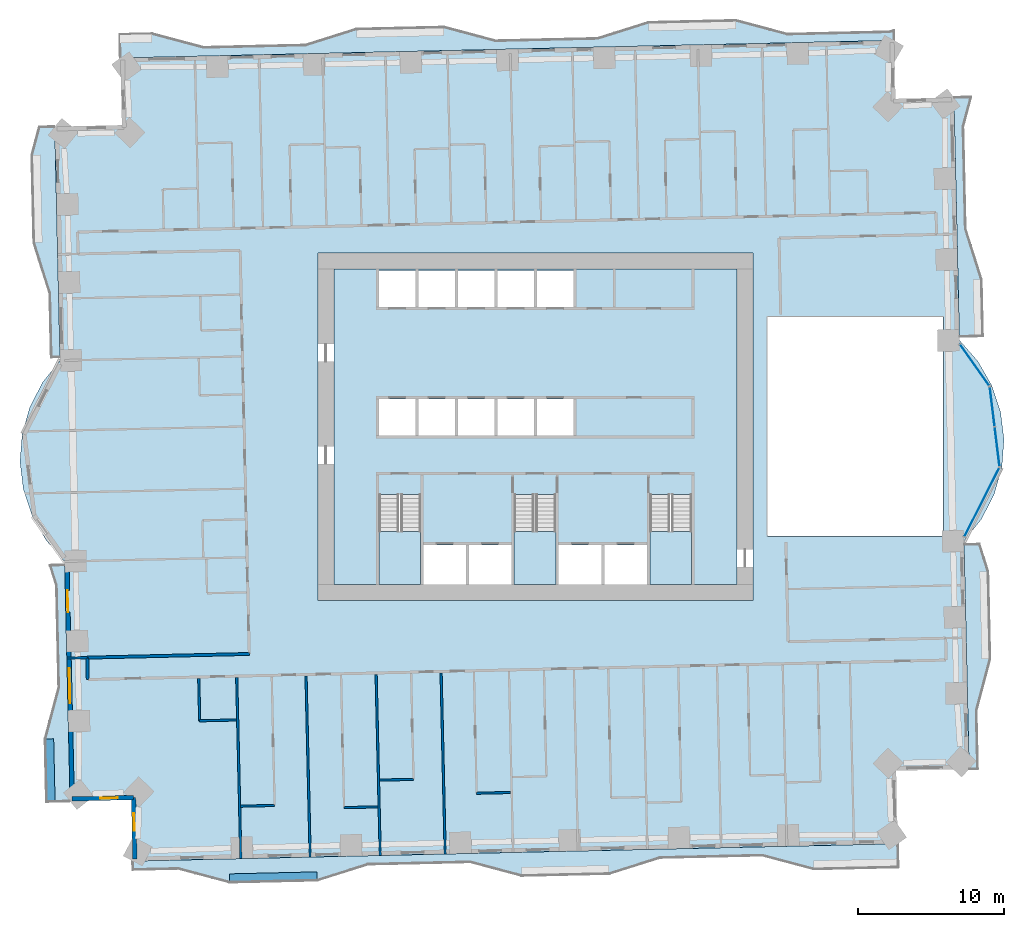
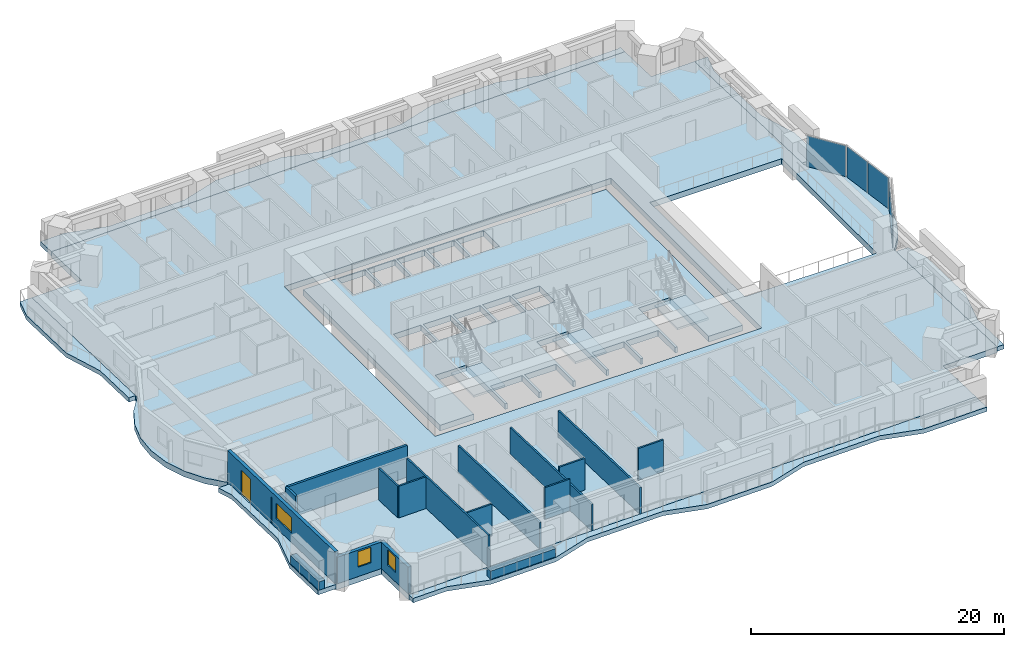
# One storey, part 4 of 16: 18 walls, 11 slabs, 4 plates, 3 windows, 1 door, 4 openings, 6 elements without a shape of their own.
"""IFC4 building model written with IfcOpenShell, lengths in metres."""

from ifc_helpers import new_model, si_unit, direction, frame, frame_2d, origin, origin_2d, place, context, subcontext, project, spatial, polyline, rectangle, outline, extrude, material, layer, layer_set, type_object, element, fill, aggregate, save


model = new_model("IFC4")

# Units and contexts
model_context = context("Model", 3, precision=1e-05, world=origin(), true_north=direction((0.0, 1.0)))
body_context = subcontext(model_context, "Body", "Model", "MODEL_VIEW")
ifc_project = project(units=[si_unit("LENGTHUNIT", "METRE"), si_unit("AREAUNIT", "SQUARE_METRE"), si_unit("VOLUMEUNIT", "CUBIC_METRE"), si_unit("PLANEANGLEUNIT", "RADIAN"), si_unit("MASSUNIT", "GRAM", prefix="KILO")], contexts=[model_context])

# Site, building, storey
site_placement = place(None, origin())
site = spatial("IfcSite", under=ifc_project, at=site_placement, CompositionType="ELEMENT")
building_placement = place(site_placement, origin())
building = spatial("IfcBuilding", under=site, at=building_placement, Name="Mangrove Gate Tower", CompositionType="ELEMENT")
storey_placement = place(building_placement, frame((0.0, 0.0, 48.5)))
storey = spatial("IfcBuildingStorey", under=building, at=storey_placement, Name="L11", CompositionType="ELEMENT", Elevation=48.5)

# Curtain wall, plate
ifc_material_1 = material(Name="Aluminium and glass curtain wall", Category="aluminium")
curtain_wall_type = type_object("IfcCurtainWallType", Name="Atrium garden-court glazing wall", PredefinedType="NOTDEFINED", material=ifc_material_1)
curtain_wall_1_placement = place(storey_placement, origin())
curtain_wall_1 = element("IfcCurtainWall", 1, at=curtain_wall_1_placement, inside=storey, type_object=curtain_wall_type, Name="Atrium garden-court glazing E1f1", PredefinedType="NOTDEFINED")
ifc_material_2 = material(Name="Laminated low-e glass", Category="glass")
ifc_layer_1 = layer(ifc_material_2, 0.031982421875)
ifc_layer_set_1 = layer_set([ifc_layer_1], Name="Atrium garden-court glazing panel 32")
plate_type = type_object("IfcPlateType", Name="Atrium garden-court glazing panel 32", PredefinedType="CURTAIN_PANEL", material=ifc_layer_set_1)
plate_1_placement = place(storey_placement, frame((30.573974609375, -5.1728515625, 0.0), z_axis=(0.0, 0.0, 1.0), x_axis=(0.452600233136, 0.89171353526, 0.0)))
plate_1 = element("IfcPlate", 2, at=plate_1_placement, type_object=plate_type, Name="CWA panel 1.1", PredefinedType="CURTAIN_PANEL", context=body_context, shape_type="SweptSolid", body=[
    extrude(rectangle(XDim=5.258056640625, YDim=0.031982421875, at=origin_2d()), origin(), (0.0, 0.0, 1.0), 2.97998046875),
])
aggregate(curtain_wall_1, [plate_1])

# Curtain wall, plates
curtain_wall_2_placement = place(storey_placement, origin())
curtain_wall_2 = element("IfcCurtainWall", 3, at=curtain_wall_2_placement, inside=storey, type_object=curtain_wall_type, Name="Atrium garden-court glazing E1f2", PredefinedType="NOTDEFINED")
plate_2_placement = place(storey_placement, frame((31.623291015625, -1.36572265625, 0.0), z_axis=(0.0, 0.0, 1.0), x_axis=(-0.122172285885, 0.992508908051, 0.0)))
plate_2 = element("IfcPlate", 4, at=plate_2_placement, type_object=plate_type, Name="CWA panel 1.1", PredefinedType="CURTAIN_PANEL", context=body_context, shape_type="SweptSolid", body=[
    extrude(rectangle(XDim=2.681640625, YDim=0.031982421875, at=origin_2d()), origin(), (0.0, 0.0, 1.0), 2.97998046875),
])
plate_3_placement = place(storey_placement, frame((31.287109375, 1.365478515625, 0.0), z_axis=(0.0, 0.0, 1.0), x_axis=(-0.122172285885, 0.992508908051, 0.0)))
plate_3 = element("IfcPlate", 5, at=plate_3_placement, type_object=plate_type, Name="CWA panel 2.1", PredefinedType="CURTAIN_PANEL", context=body_context, shape_type="SweptSolid", body=[
    extrude(rectangle(XDim=2.681640625, YDim=0.031982421875, at=origin_2d()), origin(), (0.0, 0.0, 1.0), 2.97998046875),
])
aggregate(curtain_wall_2, [plate_2, plate_3])

# Curtain wall, plate
curtain_wall_3_placement = place(storey_placement, origin())
curtain_wall_3 = element("IfcCurtainWall", 6, at=curtain_wall_3_placement, inside=storey, type_object=curtain_wall_type, Name="Atrium garden-court glazing E1f3", PredefinedType="NOTDEFINED")
plate_4_placement = place(storey_placement, frame((30.0830078125, 4.2216796875, 0.0), z_axis=(0.0, 0.0, 1.0), x_axis=(-0.578122631637, 0.815949889877, 0.0)))
plate_4 = element("IfcPlate", 7, at=plate_4_placement, type_object=plate_type, Name="CWA panel 1.1", PredefinedType="CURTAIN_PANEL", context=body_context, shape_type="SweptSolid", body=[
    extrude(rectangle(XDim=3.4287109375, YDim=0.031982421875, at=origin_2d()), origin(), (0.0, 0.0, 1.0), 2.97998046875),
])
aggregate(curtain_wall_3, [plate_4])

# Slabs
ifc_material_3 = material(Name="Porcelain tile")
ifc_layer_2 = layer(ifc_material_3, 0.02001953125, Name="Tile finish")
ifc_material_4 = material(Name="Cement sand screed")
ifc_layer_3 = layer(ifc_material_4, 0.0400390625, Name="Screed laid to falls")
ifc_material_5 = material(Name="Bituminous waterproofing membrane")
ifc_layer_4 = layer(ifc_material_5, 0.00390625, Name="Waterproofing")
ifc_material_6 = material(Name="Concrete C40/50", Category="concrete")
ifc_layer_5 = layer(ifc_material_6, 0.340087890625, Name="Balcony structural slab")
ifc_material_7 = material(Name="Limestone", Category="masonry")
ifc_layer_6 = layer(ifc_material_7, 0.01611328125, Name="Soffit lining")
ifc_layer_set_2 = layer_set([ifc_layer_2, ifc_layer_3, ifc_layer_4, ifc_layer_5, ifc_layer_6], Name="Balcony slab 420 C40/50")
slab_type_1 = type_object("IfcSlabType", Name="Balcony slab 420 C40/50", PredefinedType="FLOOR", material=ifc_layer_set_2)
slab_1_placement = place(storey_placement, frame((0.0, 0.0, -0.419921875)))
element("IfcSlab", 8, at=slab_1_placement, inside=storey, type_object=slab_type_1, Name="BALCONY L11 E0", PredefinedType="FLOOR", context=body_context, shape_type="SweptSolid", body=[
    extrude(outline(polyline([(30.3291015625, -23.430908203125), (30.239013671875, -19.431884765625), (31.176025390625, -15.909912109375), (31.0400390625, -9.912109375), (30.452880859375, -8.050048828125), (29.35400390625, -8.074951171875), (29.39599609375, -9.948974609375), (29.531982421875, -15.947021484375), (29.612060546875, -19.446044921875), (29.702880859375, -23.445068359375), (30.3291015625, -23.430908203125)])), origin(), (0.0, 0.0, 1.0), 0.419921875),
])
slab_2_placement = place(storey_placement, frame((0.0, 0.0, -0.419921875)))
element("IfcSlab", 9, at=slab_2_placement, inside=storey, type_object=slab_type_1, Name="BALCONY L11 E1", PredefinedType="FLOOR", context=body_context, shape_type="SweptSolid", body=[
    extrude(outline(polyline([(30.674072265625, 6.2099609375), (30.5869140625, 10.0830078125), (29.489990234375, 13.55908203125), (29.3310546875, 20.556884765625), (29.866943359375, 22.570068359375), (28.658935546875, 22.54296875), (28.7041015625, 20.54296875), (28.863037109375, 13.544921875), (28.943115234375, 10.0458984375), (29.030029296875, 6.172119140625), (30.674072265625, 6.2099609375)])), origin(), (0.0, 0.0, 1.0), 0.419921875),
])
slab_3_placement = place(storey_placement, frame((0.0, 0.0, -0.419921875)))
element("IfcSlab", 10, at=slab_3_placement, inside=storey, type_object=slab_type_1, Name="BALCONY L11 N0", PredefinedType="FLOOR", context=body_context, shape_type="SweptSolid", body=[
    extrude(outline(polyline([(24.552978515625, 27.1650390625), (24.2548828125, 27.071044921875), (17.257080078125, 26.912109375), (13.735107421875, 27.85009765625), (7.736083984375, 27.714111328125), (4.260009765625, 26.616943359375), (-1.93798828125, 26.47705078125), (-2.738037109375, 26.458984375), (-6.260009765625, 27.39599609375), (-12.259033203125, 27.260009765625), (-15.735107421875, 26.1630859375), (-22.73291015625, 26.006103515625), (-26.2548828125, 26.943115234375), (-28.4541015625, 26.89306640625), (-28.4169921875, 25.2490234375), (-26.218017578125, 25.298095703125), (-1.924072265625, 25.85009765625), (24.569091796875, 26.450927734375), (24.552978515625, 27.1650390625)])), origin(), (0.0, 0.0, 1.0), 0.419921875),
])
slab_4_placement = place(storey_placement, frame((0.0, 0.0, -0.419921875)))
element("IfcSlab", 11, at=slab_4_placement, inside=storey, type_object=slab_type_1, Name="BALCONY L11 W0", PredefinedType="FLOOR", context=body_context, shape_type="SweptSolid", body=[
    extrude(outline(polyline([(-34.0029296875, 20.52099609375), (-34.512939453125, 18.60888671875), (-34.3759765625, 12.610107421875), (-33.280029296875, 9.134033203125), (-33.180908203125, 4.760009765625), (-32.553955078125, 4.77490234375), (-32.653076171875, 9.14794921875), (-32.73193359375, 12.64697265625), (-32.868896484375, 18.64599609375), (-32.912109375, 20.544921875), (-34.0029296875, 20.52099609375)])), origin(), (0.0, 0.0, 1.0), 0.419921875),
])
slab_5_placement = place(storey_placement, frame((0.0, 0.0, -0.419921875)))
element("IfcSlab", 12, at=slab_5_placement, inside=storey, type_object=slab_type_1, Name="BALCONY L11 W1", PredefinedType="FLOOR", context=body_context, shape_type="SweptSolid", body=[
    extrude(outline(polyline([(-33.257080078125, -9.49609375), (-32.825927734375, -10.861083984375), (-32.6669921875, -17.85888671875), (-33.60498046875, -21.381103515625), (-33.508056640625, -25.679931640625), (-31.863037109375, -25.64306640625), (-31.9609375, -21.343994140625), (-32.0400390625, -17.844970703125), (-32.198974609375, -10.846923828125), (-32.22998046875, -9.471923828125), (-33.257080078125, -9.49609375)])), origin(), (0.0, 0.0, 1.0), 0.419921875),
])
slab_6_placement = place(storey_placement, frame((0.0, 0.0, -0.419921875)))
element("IfcSlab", 13, at=slab_6_placement, inside=storey, type_object=slab_type_1, Name="BALCONY L11 S0", PredefinedType="FLOOR", context=body_context, shape_type="SweptSolid", body=[
    extrude(outline(polyline([(-27.554931640625, -30.373046875), (-24.4560546875, -30.302978515625), (-20.93408203125, -31.240966796875), (-14.93505859375, -31.10498046875), (-11.458984375, -30.008056640625), (-4.4609375, -29.84912109375), (-0.93896484375, -30.787109375), (5.06005859375, -30.65087890625), (8.535888671875, -29.553955078125), (15.533935546875, -29.39599609375), (19.055908203125, -30.3330078125), (24.85498046875, -30.201904296875), (24.81689453125, -28.55810546875), (8.52099609375, -28.927001953125), (-27.569091796875, -29.74609375), (-27.554931640625, -30.373046875)])), origin(), (0.0, 0.0, 1.0), 0.419921875),
])
ifc_material_8 = material(Name="Concrete C40/50", Category="concrete")
ifc_layer_7 = layer(ifc_material_8, 0.550048828125)
ifc_layer_set_3 = layer_set([ifc_layer_7], Name="Core floor slab 550 C40/50")
slab_type_2 = type_object("IfcSlabType", Name="Core floor slab 550 C40/50", PredefinedType="FLOOR", material=ifc_layer_set_3)
slab_7_placement = place(storey_placement, frame((0.0, 0.0, -0.550048828125)))
element("IfcSlab", 14, at=slab_7_placement, inside=storey, type_object=slab_type_2, Name="SLAB-L11-CORE-1", PredefinedType="FLOOR", context=body_context, shape_type="SweptSolid", body=[
    extrude(outline(polyline([(-13.800048828125, -10.800048828125), (-13.800048828125, 10.800048828125), (13.800048828125, 10.800048828125), (13.800048828125, -10.800048828125), (10.699951171875, -10.800048828125), (10.699951171875, -4.653076171875), (7.85009765625, -4.653076171875), (7.85009765625, -10.800048828125), (7.64990234375, -10.800048828125), (7.64990234375, -8.10009765625), (4.72509765625, -8.10009765625), (4.72509765625, -10.800048828125), (4.52490234375, -10.800048828125), (4.52490234375, -8.10009765625), (1.60009765625, -8.10009765625), (1.60009765625, -10.800048828125), (1.39990234375, -10.800048828125), (1.39990234375, -4.653076171875), (-1.449951171875, -4.653076171875), (-1.449951171875, -10.800048828125), (-1.64990234375, -10.800048828125), (-1.64990234375, -8.10009765625), (-4.550048828125, -8.10009765625), (-4.550048828125, -10.800048828125), (-4.75, -10.800048828125), (-4.75, -8.10009765625), (-7.64990234375, -8.10009765625), (-7.64990234375, -10.800048828125), (-7.85009765625, -10.800048828125), (-7.85009765625, -4.653076171875), (-10.699951171875, -4.653076171875), (-10.699951171875, -10.800048828125), (-13.800048828125, -10.800048828125)]), holes=[polyline([(-8.199951171875, -0.60009765625), (-8.199951171875, 1.89990234375), (-10.699951171875, 1.89990234375), (-10.699951171875, -0.60009765625), (-8.199951171875, -0.60009765625)]), polyline([(-5.5, -0.60009765625), (-5.5, 1.89990234375), (-8.0, 1.89990234375), (-8.0, -0.60009765625), (-5.5, -0.60009765625)]), polyline([(-2.800048828125, -0.60009765625), (-2.800048828125, 1.89990234375), (-5.300048828125, 1.89990234375), (-5.300048828125, -0.60009765625), (-2.800048828125, -0.60009765625)]), polyline([(-8.199951171875, 8.199951171875), (-8.199951171875, 10.699951171875), (-10.699951171875, 10.699951171875), (-10.699951171875, 8.199951171875), (-8.199951171875, 8.199951171875)]), polyline([(-5.5, 8.199951171875), (-5.5, 10.699951171875), (-8.0, 10.699951171875), (-8.0, 8.199951171875), (-5.5, 8.199951171875)]), polyline([(-2.800048828125, 8.199951171875), (-2.800048828125, 10.699951171875), (-5.300048828125, 10.699951171875), (-5.300048828125, 8.199951171875), (-2.800048828125, 8.199951171875)]), polyline([(-0.10009765625, -0.60009765625), (-0.10009765625, 1.89990234375), (-2.60009765625, 1.89990234375), (-2.60009765625, -0.60009765625), (-0.10009765625, -0.60009765625)]), polyline([(2.60009765625, -0.60009765625), (2.60009765625, 1.89990234375), (0.10009765625, 1.89990234375), (0.10009765625, -0.60009765625), (2.60009765625, -0.60009765625)]), polyline([(-2.60009765625, 8.199951171875), (-0.10009765625, 8.199951171875), (-0.10009765625, 10.699951171875), (-2.60009765625, 10.699951171875), (-2.60009765625, 8.199951171875)]), polyline([(0.10009765625, 8.199951171875), (2.60009765625, 8.199951171875), (2.60009765625, 10.699951171875), (0.10009765625, 10.699951171875), (0.10009765625, 8.199951171875)])]), origin(), (0.0, 0.0, 1.0), 0.550048828125),
])

# Stair, slab
ifc_material_9 = material(Name="Concrete C40/50", Category="concrete")
stair_type = type_object("IfcStairType", Name="Core stair 1350", PredefinedType="HALF_TURN_STAIR", material=ifc_material_9)
stair_1_placement = place(storey_placement, origin())
stair_1 = element("IfcStair", 15, at=stair_1_placement, inside=storey, type_object=stair_type, Name="L11 Stair 1", PredefinedType="HALF_TURN_STAIR")
ifc_material_10 = material(Name="Concrete C40/50", Category="concrete")
ifc_layer_8 = layer(ifc_material_10, 0.199951171875)
ifc_layer_set_4 = layer_set([ifc_layer_8], Name="Core stair landing 200")
slab_type_3 = type_object("IfcSlabType", Name="Core stair landing 200", PredefinedType="LANDING", material=ifc_layer_set_4)
slab_8_placement = place(storey_placement, frame((0.0, 0.0, 1.60009765625)))
slab_8 = element("IfcSlab", 16, at=slab_8_placement, type_object=slab_type_3, Name="ST1 landing 1", PredefinedType="LANDING", context=body_context, shape_type="SweptSolid", body=[
    extrude(outline(polyline([(-10.699951171875, -7.169921875), (-10.699951171875, -10.800048828125), (-7.85009765625, -10.800048828125), (-7.85009765625, -7.169921875), (-10.699951171875, -7.169921875)])), origin(), (0.0, 0.0, 1.0), 0.199951171875),
])
aggregate(stair_1, [slab_8])

stair_2_placement = place(storey_placement, origin())
stair_2 = element("IfcStair", 17, at=stair_2_placement, inside=storey, type_object=stair_type, Name="L11 Stair 2", PredefinedType="HALF_TURN_STAIR")
slab_9_placement = place(storey_placement, frame((0.0, 0.0, 1.60009765625)))
slab_9 = element("IfcSlab", 18, at=slab_9_placement, type_object=slab_type_3, Name="ST2 landing 1", PredefinedType="LANDING", context=body_context, shape_type="SweptSolid", body=[
    extrude(outline(polyline([(-1.449951171875, -7.169921875), (-1.449951171875, -10.800048828125), (1.39990234375, -10.800048828125), (1.39990234375, -7.169921875), (-1.449951171875, -7.169921875)])), origin(), (0.0, 0.0, 1.0), 0.199951171875),
])
aggregate(stair_2, [slab_9])

stair_3_placement = place(storey_placement, origin())
stair_3 = element("IfcStair", 19, at=stair_3_placement, inside=storey, type_object=stair_type, Name="L11 Stair 3", PredefinedType="HALF_TURN_STAIR")
slab_10_placement = place(storey_placement, frame((0.0, 0.0, 1.60009765625)))
slab_10 = element("IfcSlab", 20, at=slab_10_placement, type_object=slab_type_3, Name="ST3 landing 1", PredefinedType="LANDING", context=body_context, shape_type="SweptSolid", body=[
    extrude(outline(polyline([(7.85009765625, -7.169921875), (7.85009765625, -10.800048828125), (10.699951171875, -10.800048828125), (10.699951171875, -7.169921875), (7.85009765625, -7.169921875)])), origin(), (0.0, 0.0, 1.0), 0.199951171875),
])
aggregate(stair_3, [slab_10])

# Slab
ifc_material_11 = material(Name="Concrete C40/50", Category="concrete")
ifc_layer_9 = layer(ifc_material_11, 0.550048828125)
ifc_layer_set_5 = layer_set([ifc_layer_9], Name="Floor slab 550 C40/50")
slab_type_4 = type_object("IfcSlabType", Name="Floor slab 550 C40/50", PredefinedType="FLOOR", material=ifc_layer_set_5)
slab_11_placement = place(storey_placement, frame((0.0, 0.0, -0.550048828125)))
element("IfcSlab", 21, at=slab_11_placement, inside=storey, type_object=slab_type_4, Name="Floor slab L11", PredefinedType="FLOOR", context=body_context, shape_type="SweptSolid", body=[
    extrude(outline(polyline([(-27.5693359375, -29.746337890625), (24.8173828125, -28.5576171875), (24.703857421875, -23.558837890625), (29.70263671875, -23.445556640625), (29.34814453125, -7.82470703125), (30.544677734375, -6.33251953125), (31.42138671875, -4.632568359375), (31.944091796875, -2.79248046875), (32.09130859375, -0.885498046875), (31.857666015625, 1.012939453125), (31.252197265625, 2.827392578125), (30.299072265625, 4.48583984375), (29.0361328125, 5.92236328125), (28.658935546875, 22.542724609375), (24.659912109375, 22.451904296875), (24.569091796875, 26.450927734375), (-28.417236328125, 25.24853515625), (-28.312744140625, 20.649658203125), (-32.91162109375, 20.54541015625), (-32.548095703125, 4.524658203125), (-33.74462890625, 3.032470703125), (-34.62158203125, 1.33251953125), (-35.14404296875, -0.507568359375), (-35.291259765625, -2.41455078125), (-35.0576171875, -4.31298828125), (-34.4521484375, -6.12744140625), (-33.4990234375, -7.785888671875), (-32.236083984375, -9.222412109375), (-31.863525390625, -25.642822265625), (-27.66455078125, -25.547607421875), (-27.5693359375, -29.746337890625)]), holes=[polyline([(15.89990234375, 7.5), (27.922119140625, 7.5), (27.922119140625, -7.5), (15.89990234375, -7.5), (15.89990234375, 7.5)]), polyline([(-14.89990234375, -11.89990234375), (-14.89990234375, 11.89990234375), (14.89990234375, 11.89990234375), (14.89990234375, -11.89990234375), (-14.89990234375, -11.89990234375)])]), origin(), (0.0, 0.0, 1.0), 0.550048828125),
])

# Walls
ifc_material_12 = material(Name="Gypsum board on steel stud, EI 60", Category="steel")
ifc_layer_10 = layer(ifc_material_12, 0.199951171875)
ifc_layer_set_6 = layer_set([ifc_layer_10], Name="Corridor wall EI 60")
wall_type_1 = type_object("IfcWallType", Name="Corridor wall EI 60", PredefinedType="PARTITIONING", material=ifc_layer_set_6)
wall_1_placement = place(storey_placement, frame((-30.652099609375, -17.31298828125, 0.0), z_axis=(0.0, 0.0, 1.0), x_axis=(-0.022632637625, 0.99974384905, 0.0)))
element("IfcWall", 22, at=wall_1_placement, inside=storey, type_object=wall_type_1, Name="WALL-L11-032", PredefinedType="PARTITIONING", context=body_context, shape_type="SweptSolid", body=[
    extrude(rectangle(XDim=1.49951171875, YDim=0.199951171875, at=frame_2d((0.749755859375, 0.0))), origin(), (0.0, 0.0, 1.0), 3.050048828125),
])
wall_2_placement = place(storey_placement, frame((-30.68603515625, -15.81396484375, 0.0), z_axis=(0.0, 0.0, 1.0), x_axis=(0.999742346277, 0.022698921993, 0.0)))
element("IfcWall", 23, at=wall_2_placement, inside=storey, type_object=wall_type_1, Name="WALL-L11-035", PredefinedType="PARTITIONING", context=body_context, shape_type="SweptSolid", body=[
    extrude(rectangle(XDim=11.099853515625, YDim=0.199951171875, at=frame_2d((5.5498046875, 0.0))), origin(), (0.0, 0.0, 1.0), 3.050048828125),
])

# Wall, openings, door, window
ifc_layer_11 = layer(ifc_material_7, 0.0400390625, Name="Limestone cladding")
ifc_material_13 = material(Name="Ventilated air gap")
ifc_layer_12 = layer(ifc_material_13, 0.0400390625, Name="Ventilated cavity")
ifc_material_14 = material(Name="Mineral wool insulation")
ifc_layer_13 = layer(ifc_material_14, 0.06005859375, Name="Insulation")
ifc_material_15 = material(Name="Breather membrane")
ifc_layer_14 = layer(ifc_material_15, 0.001953125, Name="Breather membrane")
ifc_material_16 = material(Name="Concrete C20/25 blockwork", Category="masonry")
ifc_layer_15 = layer(ifc_material_16, 0.14990234375, Name="Blockwork backing wall")
ifc_material_17 = material(Name="Gypsum plaster")
ifc_layer_16 = layer(ifc_material_17, 0.008056640625, Name="Internal plaster")
ifc_layer_set_7 = layer_set([ifc_layer_11, ifc_layer_12, ifc_layer_13, ifc_layer_14, ifc_layer_15, ifc_layer_16], Name="External wall 300 limestone cladding")
wall_type_2 = type_object("IfcWallType", Name="External wall 300 limestone cladding", PredefinedType="SOLIDWALL", material=ifc_layer_set_7)
wall_3_placement = place(storey_placement, frame((-32.0869140625, -9.1640625, 0.0), z_axis=(0.0, 0.0, 1.0), x_axis=(0.022651102902, -0.999743430855, 0.0)))
wall_3 = element("IfcWall", 24, at=wall_3_placement, inside=storey, type_object=wall_type_2, Name="WALL-L11-W10", PredefinedType="SOLIDWALL", context=body_context, shape_type="SweptSolid", body=[
    extrude(rectangle(XDim=16.3291015625, YDim=0.300048828125, at=frame_2d((8.16455078125, 0.0))), origin(), (0.0, 0.0, 1.0), 3.050048828125),
])
opening_1_placement = place(wall_3_placement, frame((2.0419921875, 0.0, 0.0)))
opening_1 = element("IfcOpeningElement", 25, at=opening_1_placement, cuts=wall_3, Name="Opening BD1", PredefinedType="OPENING", context=body_context, shape_type="SweptSolid", body=[
    extrude(rectangle(XDim=1.5, YDim=2.39990234375, at=frame_2d((0.75, 1.199951171875))), frame((0.0, 0.159912109375, 0.0), z_axis=(0.0, -1.0, 0.0), x_axis=(1.0, 0.0, 0.0)), (0.0, 0.0, 1.0), 0.320068359375),
])
opening_2_placement = place(wall_3_placement, frame((7.366943359375, 0.0, 0.89990234375)))
opening_2 = element("IfcOpeningElement", 26, at=opening_2_placement, cuts=wall_3, Name="Opening W2", PredefinedType="OPENING", context=body_context, shape_type="SweptSolid", body=[
    extrude(rectangle(XDim=2.39990234375, YDim=1.5, at=frame_2d((1.199951171875, 0.75))), frame((0.0, 0.159912109375, 0.0), z_axis=(0.0, -1.0, 0.0), x_axis=(1.0, 0.0, 0.0)), (0.0, 0.0, 1.0), 0.320068359375),
])
ifc_material_18 = material(Name="Aluminium frame with laminated clear glass", Category="aluminium")
door_type = type_object("IfcDoorType", Name="Balcony sliding door 1500x2400", OperationType="SLIDING_TO_LEFT", PredefinedType="DOOR", material=ifc_material_18)
door_placement = place(opening_1_placement, origin())
door = element("IfcDoor", 27, at=door_placement, inside=storey, type_object=door_type, Name="DOOR-L11-W10-1", OperationType="SLIDING_TO_LEFT", OverallHeight=2.39990234375, OverallWidth=1.5, PredefinedType="DOOR", context=body_context, shape_type="SweptSolid", body=[
    extrude(rectangle(XDim=1.5, YDim=2.39990234375, at=frame_2d((0.75, 1.199951171875))), frame((0.0, 0.02490234375, 0.0), z_axis=(0.0, -1.0, 0.0), x_axis=(1.0, 0.0, 0.0)), (0.0, 0.0, 1.0), 0.050048828125),
])
fill(opening_1, door)
ifc_material_19 = material(Name="Aluminium frame with double-glazed low-e glass", Category="aluminium")
window_type_1 = type_object("IfcWindowType", Name="Corner room window 2400x1500", PartitioningType="DOUBLE_PANEL_VERTICAL", PredefinedType="WINDOW", material=ifc_material_19)
window_1_placement = place(opening_2_placement, origin())
window_1 = element("IfcWindow", 28, at=window_1_placement, inside=storey, type_object=window_type_1, Name="WIN-L11-W10-2", OverallHeight=1.5, OverallWidth=2.39990234375, PartitioningType="DOUBLE_PANEL_VERTICAL", PredefinedType="WINDOW", context=body_context, shape_type="SweptSolid", body=[
    extrude(rectangle(XDim=2.39990234375, YDim=1.5, at=frame_2d((1.199951171875, 0.75))), frame((0.0, 0.030029296875, 0.0), z_axis=(0.0, -1.0, 0.0), x_axis=(1.0, 0.0, 0.0)), (0.0, 0.0, 1.0), 0.06005859375),
])
fill(opening_2, window_1)

# Wall, opening, window
wall_4_placement = place(storey_placement, frame((-31.717041015625, -25.489013671875, 0.0), z_axis=(0.0, 0.0, 1.0), x_axis=(0.999744320311, 0.022611811187, 0.0)))
wall_4 = element("IfcWall", 29, at=wall_4_placement, inside=storey, type_object=wall_type_2, Name="WALL-L11-S11", PredefinedType="SOLIDWALL", context=body_context, shape_type="SweptSolid", body=[
    extrude(rectangle(XDim=4.199951171875, YDim=0.300048828125, at=frame_2d((2.10009765625, 0.0))), origin(), (0.0, 0.0, 1.0), 2.550048828125),
])
opening_3_placement = place(wall_4_placement, frame((1.907958984375, 0.0, 0.89990234375)))
opening_3 = element("IfcOpeningElement", 30, at=opening_3_placement, cuts=wall_4, Name="Opening W1", PredefinedType="OPENING", context=body_context, shape_type="SweptSolid", body=[
    extrude(rectangle(XDim=1.199951171875, YDim=1.5, at=frame_2d((0.60009765625, 0.75))), frame((0.0, 0.159912109375, 0.0), z_axis=(0.0, -1.0, 0.0), x_axis=(1.0, 0.0, 0.0)), (0.0, 0.0, 1.0), 0.320068359375),
])
ifc_material_20 = material(Name="Aluminium frame with double-glazed low-e glass", Category="aluminium")
window_type_2 = type_object("IfcWindowType", Name="Side lite 1200x1500", PartitioningType="SINGLE_PANEL", PredefinedType="WINDOW", material=ifc_material_20)
window_2_placement = place(opening_3_placement, origin())
window_2 = element("IfcWindow", 31, at=window_2_placement, inside=storey, type_object=window_type_2, Name="WIN-L11-S11-1", OverallHeight=1.5, OverallWidth=1.199951171875, PartitioningType="SINGLE_PANEL", PredefinedType="WINDOW", context=body_context, shape_type="SweptSolid", body=[
    extrude(rectangle(XDim=1.199951171875, YDim=1.5, at=frame_2d((0.60009765625, 0.75))), frame((0.0, 0.030029296875, 0.0), z_axis=(0.0, -1.0, 0.0), x_axis=(1.0, 0.0, 0.0)), (0.0, 0.0, 1.0), 0.06005859375),
])
fill(opening_3, window_2)

wall_5_placement = place(storey_placement, frame((-27.51806640625, -25.39404296875, 0.0), z_axis=(0.0, 0.0, 1.0), x_axis=(0.022611811187, -0.999744320311, 0.0)))
wall_5 = element("IfcWall", 32, at=wall_5_placement, inside=storey, type_object=wall_type_2, Name="WALL-L11-W12", PredefinedType="SOLIDWALL", context=body_context, shape_type="SweptSolid", body=[
    extrude(rectangle(XDim=4.199951171875, YDim=0.300048828125, at=frame_2d((2.10009765625, 0.0))), origin(), (0.0, 0.0, 1.0), 2.550048828125),
])
opening_4_placement = place(wall_5_placement, frame((1.076904296875, 0.0, 0.89990234375)))
opening_4 = element("IfcOpeningElement", 33, at=opening_4_placement, cuts=wall_5, Name="Opening W1", PredefinedType="OPENING", context=body_context, shape_type="SweptSolid", body=[
    extrude(rectangle(XDim=1.199951171875, YDim=1.5, at=frame_2d((0.60009765625, 0.75))), frame((0.0, 0.159912109375, 0.0), z_axis=(0.0, -1.0, 0.0), x_axis=(1.0, 0.0, 0.0)), (0.0, 0.0, 1.0), 0.320068359375),
])
window_3_placement = place(opening_4_placement, origin())
window_3 = element("IfcWindow", 34, at=window_3_placement, inside=storey, type_object=window_type_2, Name="WIN-L11-W12-1", OverallHeight=1.5, OverallWidth=1.199951171875, PartitioningType="SINGLE_PANEL", PredefinedType="WINDOW", context=body_context, shape_type="SweptSolid", body=[
    extrude(rectangle(XDim=1.199951171875, YDim=1.5, at=frame_2d((0.60009765625, 0.75))), frame((0.0, 0.030029296875, 0.0), z_axis=(0.0, -1.0, 0.0), x_axis=(1.0, 0.0, 0.0)), (0.0, 0.0, 1.0), 0.06005859375),
])
fill(opening_4, window_3)

# Walls
ifc_material_21 = material(Name="Gypsum board on steel stud, EI 60", Category="steel")
ifc_layer_17 = layer(ifc_material_21, 0.14990234375)
ifc_layer_set_8 = layer_set([ifc_layer_17], Name="Party wall 150 EI 60")
wall_type_3 = type_object("IfcWallType", Name="Party wall 150 EI 60", PredefinedType="PARTITIONING", material=ifc_layer_set_8)
wall_6_placement = place(storey_placement, frame((-20.1708984375, -29.5791015625, 0.0), z_axis=(0.0, 0.0, 1.0), x_axis=(-0.022661029756, 0.999743205894, 0.0)))
element("IfcWall", 35, at=wall_6_placement, inside=storey, type_object=wall_type_3, Name="WALL-L11-001", PredefinedType="PARTITIONING", context=body_context, shape_type="SweptSolid", body=[
    extrude(rectangle(XDim=12.400390625, YDim=0.14990234375, at=frame_2d((6.2001953125, 0.0))), origin(), (0.0, 0.0, 1.0), 3.050048828125),
])
for number, where, z_axis, x_axis, name in (
    (36, (-15.422119140625, -29.470947265625, 0.0), (0.0, 0.0, 1.0), (-0.022740189192, 0.999741408463, 0.0), "WALL-L11-002"),
    (37, (-10.6240234375, -29.362060546875, 0.0), (0.0, 0.0, 1.0), (-0.022661475803, 0.999743195783, 0.0), "WALL-L11-003"),
    (38, (-6.175048828125, -29.260986328125, 0.0), (0.0, 0.0, 1.0), (-0.022661475803, 0.999743195783, 0.0), "WALL-L11-004"),
):
    element("IfcWall", number, at=place(storey_placement, frame(where, z_axis=z_axis, x_axis=x_axis)), inside=storey, type_object=wall_type_3, Name=name, PredefinedType="PARTITIONING", context=body_context, shape_type="SweptSolid", body=[
        extrude(rectangle(XDim=12.400146484375, YDim=0.14990234375, at=frame_2d((6.2001953125, 0.0))), origin(), (0.0, 0.0, 1.0), 2.550048828125),
    ])
wall_7_placement = place(storey_placement, frame((-13.09912109375, -26.0869140625, 0.0), z_axis=(0.0, 0.0, 1.0), x_axis=(0.99974053329, 0.022778632478, 0.0)))
element("IfcWall", 39, at=wall_7_placement, inside=storey, type_object=wall_type_3, Name="WALL-L11-013", PredefinedType="PARTITIONING", context=body_context, shape_type="SweptSolid", body=[
    extrude(rectangle(XDim=2.32568359375, YDim=0.14990234375, at=frame_2d((1.162841796875, 0.0))), origin(), (0.0, 0.0, 1.0), 3.050048828125),
])
for number, where, z_axis, x_axis, name in (
    (40, (-20.177978515625, -25.988037109375, 0.0), (0.0, 0.0, 1.0), (0.999740478815, 0.022781023197, 0.0), "WALL-L11-015"),
    (41, (-4.01904296875, -25.10107421875, 0.0), (0.0, 0.0, 1.0), (0.999740478815, 0.022781023197, 0.0), "WALL-L11-019"),
    (42, (-10.666015625, -24.200927734375, 0.0), (0.0, 0.0, 1.0), (0.999749954681, 0.022361308448, 0.0), "WALL-L11-025"),
):
    element("IfcWall", number, at=place(storey_placement, frame(where, z_axis=z_axis, x_axis=x_axis)), inside=storey, type_object=wall_type_3, Name=name, PredefinedType="PARTITIONING", context=body_context, shape_type="SweptSolid", body=[
        extrude(rectangle(XDim=2.325439453125, YDim=0.14990234375, at=frame_2d((1.16259765625, 0.0))), origin(), (0.0, 0.0, 1.0), 3.050048828125),
    ])
wall_8_placement = place(storey_placement, frame((-22.986083984375, -20.139892578125, 0.0), z_axis=(0.0, 0.0, 1.0), x_axis=(0.999746160391, 0.022530308093, 0.0)))
element("IfcWall", 43, at=wall_8_placement, inside=storey, type_object=wall_type_3, Name="WALL-L11-029", PredefinedType="PARTITIONING", context=body_context, shape_type="SweptSolid", body=[
    extrude(rectangle(XDim=2.52490234375, YDim=0.14990234375, at=frame_2d((1.262451171875, 0.0))), origin(), (0.0, 0.0, 1.0), 3.050048828125),
])
wall_9_placement = place(storey_placement, frame((-22.986083984375, -20.139892578125, 0.0), z_axis=(0.0, 0.0, 1.0), x_axis=(-0.022732880677, 0.999741574676, 0.0)))
element("IfcWall", 44, at=wall_9_placement, inside=storey, type_object=wall_type_3, Name="WALL-L11-030", PredefinedType="PARTITIONING", context=body_context, shape_type="SweptSolid", body=[
    extrude(rectangle(XDim=2.899658203125, YDim=0.14990234375, at=frame_2d((1.44970703125, 0.0))), origin(), (0.0, 0.0, 1.0), 3.050048828125),
])
wall_10_placement = place(storey_placement, frame((-32.0859375, -15.844970703125, 0.0), z_axis=(0.0, 0.0, 1.0), x_axis=(0.999754810245, 0.022143156767, 0.0)))
element("IfcWall", 45, at=wall_10_placement, inside=storey, type_object=wall_type_3, Name="WALL-L11-034", PredefinedType="PARTITIONING", context=body_context, shape_type="SweptSolid", body=[
    extrude(rectangle(XDim=1.400146484375, YDim=0.14990234375, at=frame_2d((0.7001953125, 0.0))), origin(), (0.0, 0.0, 1.0), 2.550048828125),
])
ifc_material_22 = material(Name="Concrete C32/40", Category="concrete")
ifc_layer_18 = layer(ifc_material_22, 0.199951171875, Name="Planter trough wall")
ifc_layer_19 = layer(ifc_material_5, 0.0048828125, Name="Waterproofing")
ifc_material_23 = material(Name="Drainage board and gravel")
ifc_layer_20 = layer(ifc_material_23, 0.044921875, Name="Drainage layer")
ifc_material_24 = material(Name="Planting soil")
ifc_layer_21 = layer(ifc_material_24, 0.300048828125, Name="Growing medium")
ifc_layer_set_9 = layer_set([ifc_layer_18, ifc_layer_19, ifc_layer_20, ifc_layer_21], Name="Planter wall 550 C32/40")
wall_type_4 = type_object("IfcWallType", Name="Planter wall 550 C32/40", PredefinedType="USERDEFINED", material=ifc_layer_set_9)
wall_11_placement = place(storey_placement, frame((-33.1630859375, -25.672119140625, 0.0), z_axis=(0.0, 0.0, 1.0), x_axis=(-0.022539561751, 0.999745951808, 0.0)))
element("IfcWall", 46, at=wall_11_placement, inside=storey, type_object=wall_type_4, Name="PLANTER L11 W1.1", ObjectType="PLANTER", PredefinedType="USERDEFINED", context=body_context, shape_type="SweptSolid", body=[
    extrude(rectangle(XDim=4.300048828125, YDim=0.550048828125, at=frame_2d((2.14990234375, 0.0))), origin(), (0.0, 0.0, 1.0), 0.800048828125),
])
wall_12_placement = place(storey_placement, frame((-20.94189453125, -30.89599609375, 0.0), z_axis=(0.0, 0.0, 1.0), x_axis=(0.999743157205, 0.022663177671, 0.0)))
element("IfcWall", 47, at=wall_12_placement, inside=storey, type_object=wall_type_4, Name="PLANTER L11 S0.1", ObjectType="PLANTER", PredefinedType="USERDEFINED", context=body_context, shape_type="SweptSolid", body=[
    extrude(rectangle(XDim=6.000244140625, YDim=0.550048828125, at=frame_2d((3.0, 0.0))), origin(), (0.0, 0.0, 1.0), 0.800048828125),
])

save(model, "model.ifc")
